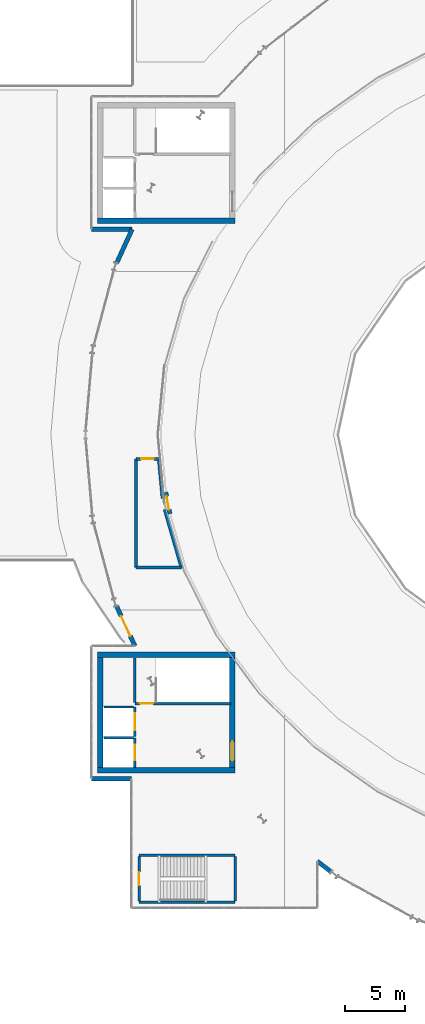
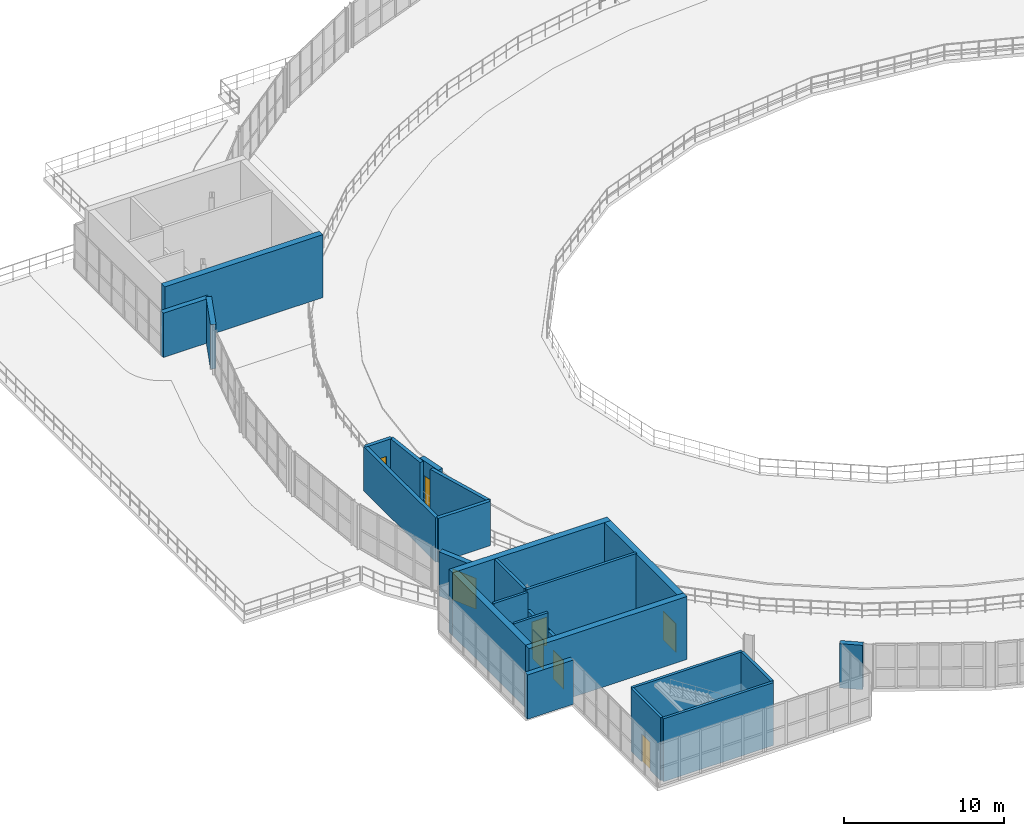
# One storey, part 31 of 40: 26 walls, 8 doors, 8 openings.
"""IFC4 building model written with IfcOpenShell, lengths in metres."""

from ifc_helpers import new_model, si_unit, direction, frame, frame_2d, origin, place, context, subcontext, project, spatial, rectangle, extrude, material, layer, layer_set, type_object, element, fill, save


model = new_model("IFC4")

# Units and contexts
model_context = context("Model", 3, precision=1e-05, world=origin(), true_north=direction((0.0, 1.0)))
body_context = subcontext(model_context, "Body", "Model", "MODEL_VIEW")
ifc_project = project(units=[si_unit("LENGTHUNIT", "METRE"), si_unit("AREAUNIT", "SQUARE_METRE"), si_unit("VOLUMEUNIT", "CUBIC_METRE"), si_unit("PLANEANGLEUNIT", "RADIAN"), si_unit("MASSUNIT", "GRAM", prefix="KILO")], contexts=[model_context])

# Site, building, storey
site_placement = place(None, origin())
site = spatial("IfcSite", under=ifc_project, at=site_placement, CompositionType="ELEMENT")
building_placement = place(site_placement, origin())
building = spatial("IfcBuilding", under=site, at=building_placement, Name="Glasvene Arena", CompositionType="ELEMENT")
storey_placement = place(building_placement, frame((0.0, 0.0, 24.0)))
storey = spatial("IfcBuildingStorey", under=building, at=storey_placement, Name="L05", CompositionType="ELEMENT", Elevation=24.0)

# Walls
ifc_material_1 = material(Name="Concrete C40/50", Category="concrete")
ifc_layer_1 = layer(ifc_material_1, 0.449951171875)
ifc_layer_set_1 = layer_set([ifc_layer_1], Name="Concrete C40/50")
wall_type_1 = type_object("IfcWallType", Name="WL-CORE-450", PredefinedType="SHEAR", material=ifc_layer_set_1)
for number, where, z_axis, x_axis, name in (
    (1, (43.0, 90.72509765625, 0.0), (0.0, 0.0, 1.0), (1.0, 0.0, 0.0), "Core C1 North-West shear wall S L05"),
    (2, (43.0, 45.22509765625, 0.0), (0.0, 0.0, 1.0), (1.0, 0.0, 0.0), "Core C3 South-West shear wall S L05"),
    (3, (43.0, 54.77490234375, 0.0), (0.0, 0.0, 1.0), (1.0, 0.0, 0.0), "Core C3 South-West shear wall N L05"),
):
    element("IfcWall", number, at=place(storey_placement, frame(where, z_axis=z_axis, x_axis=x_axis)), inside=storey, type_object=wall_type_1, Name=name, PredefinedType="SHEAR", context=body_context, shape_type="SweptSolid", body=[
        extrude(rectangle(XDim=11.39990234375, YDim=0.449951171875, at=frame_2d((5.699951171875, 0.0))), origin(), (0.0, 0.0, 1.0), 4.800048828125),
    ])
wall_1_placement = place(storey_placement, frame((43.22509765625, 45.449951171875, 0.0), z_axis=(0.0, 0.0, 1.0), x_axis=(0.0, 1.0, 0.0)))
element("IfcWall", 4, at=wall_1_placement, inside=storey, type_object=wall_type_1, Name="Core C3 South-West shear wall W L05", PredefinedType="SHEAR", context=body_context, shape_type="SweptSolid", body=[
    extrude(rectangle(XDim=9.10009765625, YDim=0.449951171875, at=frame_2d((4.550048828125, 0.0))), origin(), (0.0, 0.0, 1.0), 4.800048828125),
])

# Wall, opening, door
wall_2_placement = place(storey_placement, frame((54.175048828125, 45.449951171875, 0.0), z_axis=(0.0, 0.0, 1.0), x_axis=(0.0, 1.0, 0.0)))
wall_2 = element("IfcWall", 5, at=wall_2_placement, inside=storey, type_object=wall_type_1, Name="Core C3 South-West shear wall E L05", PredefinedType="SHEAR", context=body_context, shape_type="SweptSolid", body=[
    extrude(rectangle(XDim=9.10009765625, YDim=0.449951171875, at=frame_2d((4.550048828125, 0.0))), origin(), (0.0, 0.0, 1.0), 4.800048828125),
])
opening_1_placement = place(wall_2_placement, frame((0.550048828125, 0.0, 0.0)))
opening_1 = element("IfcOpeningElement", 6, at=opening_1_placement, cuts=wall_2, Name="Opening D-02", PredefinedType="OPENING", context=body_context, shape_type="SweptSolid", body=[
    extrude(rectangle(XDim=1.60009765625, YDim=2.199951171875, at=frame_2d((0.800048828125, 1.10009765625))), frame((0.0, 0.23486328125, 0.0), z_axis=(0.0, -1.0, 0.0), x_axis=(1.0, 0.0, 0.0)), (0.0, 0.0, 1.0), 0.469970703125),
])
ifc_material_2 = material(Name="Painted fire-resisting steel", Category="steel")
door_type_1 = type_object("IfcDoorType", Name="DR-FD60-1600", OperationType="DOUBLE_DOOR_SINGLE_SWING", PredefinedType="DOOR", material=ifc_material_2)
door_1_placement = place(opening_1_placement, frame((1.60009765625, 0.0, 0.0), z_axis=(0.0, 0.0, 1.0), x_axis=(-1.0, 0.0, 0.0)))
door_1 = element("IfcDoor", 7, at=door_1_placement, inside=storey, type_object=door_type_1, Name="Core firefighting lobby concourse door C3-L05", OperationType="DOUBLE_DOOR_SINGLE_SWING", OverallHeight=2.199951171875, OverallWidth=1.60009765625, PredefinedType="DOOR", context=body_context, shape_type="SweptSolid", body=[
    extrude(rectangle(XDim=1.60009765625, YDim=2.199951171875, at=frame_2d((0.800048828125, 1.10009765625))), frame((0.0, 0.02490234375, 0.0), z_axis=(0.0, -1.0, 0.0), x_axis=(1.0, 0.0, 0.0)), (0.0, 0.0, 1.0), 0.050048828125),
])
fill(opening_1, door_1)

# Wall
ifc_material_3 = material(Name="Coursed pale Irish limestone", Category="masonry")
ifc_layer_2 = layer(ifc_material_3, 0.360107421875)
ifc_layer_set_2 = layer_set([ifc_layer_2], Name="Coursed pale Irish limestone")
wall_type_2 = type_object("IfcWallType", Name="WL-EXT-LIM-360", PredefinedType="STANDARD", material=ifc_layer_set_2)
wall_3_placement = place(storey_placement, frame((45.800048828125, 44.5, 0.0), z_axis=(0.0, 0.0, 1.0), x_axis=(-1.0, 0.0, 0.0)))
element("IfcWall", 8, at=wall_3_placement, inside=storey, type_object=wall_type_2, Name="External facade wall EW-L05-0288", PredefinedType="STANDARD", context=body_context, shape_type="SweptSolid", body=[
    extrude(rectangle(XDim=3.300048828125, YDim=0.360107421875, at=frame_2d((1.64990234375, 0.0))), origin(), (0.0, 0.0, 1.0), 3.3798828125),
])

# Wall, opening, door
wall_4_placement = place(storey_placement, frame((46.101318359375, 55.5, 0.0), z_axis=(0.0, 0.0, 1.0), x_axis=(-0.4180545342, 0.908421931943, 0.0)))
wall_4 = element("IfcWall", 9, at=wall_4_placement, inside=storey, type_object=wall_type_2, Name="External facade wall EW-L05-0289", PredefinedType="STANDARD", context=body_context, shape_type="SweptSolid", body=[
    extrude(rectangle(XDim=3.6259765625, YDim=0.360107421875, at=frame_2d((1.81298828125, 0.0))), origin(), (0.0, 0.0, 1.0), 3.3798828125),
])
opening_2_placement = place(wall_4_placement, frame((0.9130859375, 0.0, 0.0)))
opening_2 = element("IfcOpeningElement", 10, at=opening_2_placement, cuts=wall_4, Name="Opening TD-180", PredefinedType="OPENING", context=body_context, shape_type="SweptSolid", body=[
    extrude(rectangle(XDim=1.800048828125, YDim=2.35009765625, at=frame_2d((0.89990234375, 1.175048828125))), frame((0.0, 0.18994140625, 0.0), z_axis=(0.0, -1.0, 0.0), x_axis=(1.0, 0.0, 0.0)), (0.0, 0.0, 1.0), 0.380126953125),
])
ifc_material_4 = material(Name="Anodised architectural aluminium", Category="aluminium")
door_type_2 = type_object("IfcDoorType", Name="DR-TERR-1800", OperationType="DOUBLE_DOOR_SINGLE_SWING", PredefinedType="DOOR", material=ifc_material_4)
door_2_placement = place(opening_2_placement, origin())
door_2 = element("IfcDoor", 11, at=door_2_placement, inside=storey, type_object=door_type_2, Name="Terrace lounge glazed exit door TD-L05-07", OperationType="DOUBLE_DOOR_SINGLE_SWING", OverallHeight=2.35009765625, OverallWidth=1.800048828125, PredefinedType="DOOR", context=body_context, shape_type="SweptSolid", body=[
    extrude(rectangle(XDim=1.800048828125, YDim=2.35009765625, at=frame_2d((0.89990234375, 1.175048828125))), frame((0.0, 0.02490234375, 0.0), z_axis=(0.0, -1.0, 0.0), x_axis=(1.0, 0.0, 0.0)), (0.0, 0.0, 1.0), 0.050048828125),
])
fill(opening_2, door_2)

# Walls
wall_5_placement = place(storey_placement, frame((44.58544921875, 87.2060546875, 0.0), z_axis=(0.0, 0.0, 1.0), x_axis=(0.418086422493, 0.908407256316, 0.0)))
element("IfcWall", 12, at=wall_5_placement, inside=storey, type_object=wall_type_2, Name="External facade wall EW-L05-0290", PredefinedType="STANDARD", context=body_context, shape_type="SweptSolid", body=[
    extrude(rectangle(XDim=3.07568359375, YDim=0.360107421875, at=frame_2d((1.537841796875, 0.0))), origin(), (0.0, 0.0, 1.0), 3.3798828125),
])
wall_6_placement = place(storey_placement, frame((45.871337890625, 90.0, 0.0), z_axis=(0.0, 0.0, 1.0), x_axis=(-1.0, 0.0, 0.0)))
element("IfcWall", 13, at=wall_6_placement, inside=storey, type_object=wall_type_2, Name="External facade wall EW-L05-0291", PredefinedType="STANDARD", context=body_context, shape_type="SweptSolid", body=[
    extrude(rectangle(XDim=3.371337890625, YDim=0.360107421875, at=frame_2d((1.685546875, 0.0))), origin(), (0.0, 0.0, 1.0), 3.3798828125),
])
wall_7_placement = place(storey_placement, frame((62.351318359375, 36.79345703125, 0.0), z_axis=(0.0, 0.0, 1.0), x_axis=(-0.792761448829, 0.609532021513, 0.0)))
element("IfcWall", 14, at=wall_7_placement, inside=storey, type_object=wall_type_2, Name="External facade wall EW-L05-0302", PredefinedType="STANDARD", context=body_context, shape_type="SweptSolid", body=[
    extrude(rectangle(XDim=1.452392578125, YDim=0.360107421875, at=frame_2d((0.72607421875, 0.0))), origin(), (0.0, 0.0, 1.0), 3.3798828125),
])

# Wall, opening, door
wall_8_placement = place(storey_placement, frame((48.654296875, 68.21728515625, 0.0), z_axis=(0.0, 0.0, 1.0), x_axis=(0.187174705952, -0.982326640915, 0.0)))
wall_8 = element("IfcWall", 15, at=wall_8_placement, inside=storey, type_object=wall_type_2, Name="External terrace portal wall EW-L05-0303", PredefinedType="STANDARD", context=body_context, shape_type="SweptSolid", body=[
    extrude(rectangle(XDim=1.792236328125, YDim=0.360107421875, at=frame_2d((0.89599609375, 0.0))), origin(), (0.0, 0.0, 1.0), 3.3798828125),
])
opening_3_placement = place(wall_8_placement, frame((0.345947265625, 0.0, 0.0)))
opening_3 = element("IfcOpeningElement", 16, at=opening_3_placement, cuts=wall_8, Name="Opening TD-110", PredefinedType="OPENING", context=body_context, shape_type="SweptSolid", body=[
    extrude(rectangle(XDim=1.10009765625, YDim=2.25, at=frame_2d((0.550048828125, 1.125))), frame((0.0, 0.18994140625, 0.0), z_axis=(0.0, -1.0, 0.0), x_axis=(1.0, 0.0, 0.0)), (0.0, 0.0, 1.0), 0.380126953125),
])
door_type_3 = type_object("IfcDoorType", Name="DR-TERR-1100", OperationType="SINGLE_SWING_LEFT", PredefinedType="DOOR", material=ifc_material_4)
door_3_placement = place(opening_3_placement, origin())
door_3 = element("IfcDoor", 17, at=door_3_placement, inside=storey, type_object=door_type_3, Name="Terrace lounge glazed exit door TD-L05-08", OperationType="SINGLE_SWING_LEFT", OverallHeight=2.25, OverallWidth=1.10009765625, PredefinedType="DOOR", context=body_context, shape_type="SweptSolid", body=[
    extrude(rectangle(XDim=1.10009765625, YDim=2.25, at=frame_2d((0.550048828125, 1.125))), frame((0.0, 0.02490234375, 0.0), z_axis=(0.0, -1.0, 0.0), x_axis=(1.0, 0.0, 0.0)), (0.0, 0.0, 1.0), 0.050048828125),
])
fill(opening_3, door_3)

# Walls
ifc_layer_3 = layer(ifc_material_1, 0.25)
ifc_layer_set_3 = layer_set([ifc_layer_3], Name="Concrete C40/50")
wall_type_3 = type_object("IfcWallType", Name="WL-FIRE-250", PredefinedType="STANDARD", material=ifc_layer_set_3)
wall_9_placement = place(storey_placement, frame((48.557373046875, 66.803955078125, 0.0), z_axis=(0.0, 0.0, 1.0), x_axis=(0.277969173727, -0.960589994981, 0.0)))
element("IfcWall", 18, at=wall_9_placement, inside=storey, type_object=wall_type_3, Name="Interior partition wall IW-L05-0334 (Bowl Displacement Ventilation Plant)", PredefinedType="STANDARD", context=body_context, shape_type="SweptSolid", body=[
    extrude(rectangle(XDim=5.0009765625, YDim=0.25, at=frame_2d((2.50048828125, 0.0))), origin(), (0.0, 0.0, 1.0), 3.3798828125),
])
wall_10_placement = place(storey_placement, frame((49.947509765625, 62.0, 0.0), z_axis=(0.0, 0.0, 1.0), x_axis=(-1.0, 0.0, 0.0)))
element("IfcWall", 19, at=wall_10_placement, inside=storey, type_object=wall_type_3, Name="Interior partition wall IW-L05-0335 (Bowl Displacement Ventilation Plant)", PredefinedType="STANDARD", context=body_context, shape_type="SweptSolid", body=[
    extrude(rectangle(XDim=3.74755859375, YDim=0.25, at=frame_2d((1.873779296875, 0.0))), origin(), (0.0, 0.0, 1.0), 3.3798828125),
])
wall_11_placement = place(storey_placement, frame((46.199951171875, 62.0, 0.0), z_axis=(0.0, 0.0, 1.0), x_axis=(0.0, 1.0, 0.0)))
element("IfcWall", 20, at=wall_11_placement, inside=storey, type_object=wall_type_3, Name="Interior partition wall IW-L05-0336 (Bowl Displacement Ventilation Plant)", PredefinedType="STANDARD", context=body_context, shape_type="SweptSolid", body=[
    extrude(rectangle(XDim=9.0, YDim=0.25, at=frame_2d((4.5, 0.0))), origin(), (0.0, 0.0, 1.0), 3.3798828125),
])

# Wall, opening, door
wall_12_placement = place(storey_placement, frame((46.199951171875, 71.0, 0.0), z_axis=(0.0, 0.0, 1.0), x_axis=(1.0, 0.0, 0.0)))
wall_12 = element("IfcWall", 21, at=wall_12_placement, inside=storey, type_object=wall_type_3, Name="Interior partition wall IW-L05-0337 (Bowl Displacement Ventilation Plant)", PredefinedType="STANDARD", context=body_context, shape_type="SweptSolid", body=[
    extrude(rectangle(XDim=1.86865234375, YDim=0.25, at=frame_2d((0.934326171875, 0.0))), origin(), (0.0, 0.0, 1.0), 3.3798828125),
])
opening_4_placement = place(wall_12_placement, frame((0.408935546875, 0.0, 0.0)))
opening_4 = element("IfcOpeningElement", 22, at=opening_4_placement, cuts=wall_12, Name="Opening D-05", PredefinedType="OPENING", context=body_context, shape_type="SweptSolid", body=[
    extrude(rectangle(XDim=1.050048828125, YDim=2.14990234375, at=frame_2d((0.52490234375, 1.074951171875))), frame((0.0, 0.135009765625, 0.0), z_axis=(0.0, -1.0, 0.0), x_axis=(1.0, 0.0, 0.0)), (0.0, 0.0, 1.0), 0.27001953125),
])
door_type_4 = type_object("IfcDoorType", Name="DR-FD60-1050", OperationType="NOTDEFINED", PredefinedType="DOOR", material=ifc_material_2)
door_4_placement = place(opening_4_placement, origin())
door_4 = element("IfcDoor", 23, at=door_4_placement, inside=storey, type_object=door_type_4, Name="Interior door DR-FD60-1050 (Bowl Displacement Ventilation Plant)", OperationType="SINGLE_SWING_RIGHT", OverallHeight=2.14990234375, OverallWidth=1.050048828125, PredefinedType="DOOR", context=body_context, shape_type="SweptSolid", body=[
    extrude(rectangle(XDim=1.050048828125, YDim=2.14990234375, at=frame_2d((0.52490234375, 1.074951171875))), frame((0.0, 0.02490234375, 0.0), z_axis=(0.0, -1.0, 0.0), x_axis=(1.0, 0.0, 0.0)), (0.0, 0.0, 1.0), 0.050048828125),
])
fill(opening_4, door_4)

# Wall
wall_13_placement = place(storey_placement, frame((48.068603515625, 71.0, 0.0), z_axis=(0.0, 0.0, 1.0), x_axis=(0.094865315901, -0.995490116394, 0.0)))
element("IfcWall", 24, at=wall_13_placement, inside=storey, type_object=wall_type_3, Name="Interior partition wall IW-L05-0338 (Bowl Displacement Ventilation Plant)", PredefinedType="STANDARD", context=body_context, shape_type="SweptSolid", body=[
    extrude(rectangle(XDim=3.27880859375, YDim=0.25, at=frame_2d((1.639404296875, 0.0))), origin(), (0.0, 0.0, 1.0), 3.3798828125),
])

# Wall, opening, door
ifc_layer_4 = layer(ifc_material_1, 0.199951171875)
ifc_layer_set_4 = layer_set([ifc_layer_4], Name="Concrete C40/50")
wall_type_4 = type_object("IfcWallType", Name="WL-SHAFT-200", PredefinedType="SHEAR", material=ifc_layer_set_4)
wall_14_placement = place(storey_placement, frame((46.10009765625, 45.449951171875, 0.0), z_axis=(0.0, 0.0, 1.0), x_axis=(0.0, 1.0, 0.0)))
wall_14 = element("IfcWall", 25, at=wall_14_placement, inside=storey, type_object=wall_type_4, Name="Lift shaft front wall FFL-03 L05", PredefinedType="SHEAR", context=body_context, shape_type="SweptSolid", body=[
    extrude(rectangle(XDim=2.449951171875, YDim=0.199951171875, at=frame_2d((1.22509765625, 0.0))), origin(), (0.0, 0.0, 1.0), 3.3798828125),
])
opening_5_placement = place(wall_14_placement, frame((0.574951171875, 0.0, 0.0)))
opening_5 = element("IfcOpeningElement", 26, at=opening_5_placement, cuts=wall_14, Name="Opening LD-FF", PredefinedType="OPENING", context=body_context, shape_type="SweptSolid", body=[
    extrude(rectangle(XDim=1.300048828125, YDim=2.199951171875, at=frame_2d((0.64990234375, 1.10009765625))), frame((0.0, 0.10986328125, 0.0), z_axis=(0.0, -1.0, 0.0), x_axis=(1.0, 0.0, 0.0)), (0.0, 0.0, 1.0), 0.219970703125),
])
ifc_material_5 = material(Name="Brushed stainless steel", Category="steel")
door_type_5 = type_object("IfcDoorType", Name="LD-FFL-1300", OperationType="DOUBLE_DOOR_SLIDING", PredefinedType="DOOR", material=ifc_material_5)
door_5_placement = place(opening_5_placement, origin())
door_5 = element("IfcDoor", 27, at=door_5_placement, inside=storey, type_object=door_type_5, Name="Lift sliding landing door LD-FFL-03-L05", OperationType="DOUBLE_DOOR_SLIDING", OverallHeight=2.199951171875, OverallWidth=1.300048828125, PredefinedType="DOOR", context=body_context, shape_type="SweptSolid", body=[
    extrude(rectangle(XDim=1.300048828125, YDim=2.199951171875, at=frame_2d((0.64990234375, 1.10009765625))), frame((0.0, 0.02490234375, 0.0), z_axis=(0.0, -1.0, 0.0), x_axis=(1.0, 0.0, 0.0)), (0.0, 0.0, 1.0), 0.050048828125),
])
fill(opening_5, door_5)

wall_15_placement = place(storey_placement, frame((46.10009765625, 48.0, 0.0), z_axis=(0.0, 0.0, 1.0), x_axis=(0.0, 1.0, 0.0)))
wall_15 = element("IfcWall", 28, at=wall_15_placement, inside=storey, type_object=wall_type_4, Name="Lift shaft front wall PL-03 L05", PredefinedType="SHEAR", context=body_context, shape_type="SweptSolid", body=[
    extrude(rectangle(XDim=2.449951171875, YDim=0.199951171875, at=frame_2d((1.22509765625, 0.0))), origin(), (0.0, 0.0, 1.0), 3.3798828125),
])
opening_6_placement = place(wall_15_placement, frame((0.52490234375, 0.0, 0.0)))
opening_6 = element("IfcOpeningElement", 29, at=opening_6_placement, cuts=wall_15, Name="Opening LD-PL", PredefinedType="OPENING", context=body_context, shape_type="SweptSolid", body=[
    extrude(rectangle(XDim=1.39990234375, YDim=2.199951171875, at=frame_2d((0.699951171875, 1.10009765625))), frame((0.0, 0.10986328125, 0.0), z_axis=(0.0, -1.0, 0.0), x_axis=(1.0, 0.0, 0.0)), (0.0, 0.0, 1.0), 0.219970703125),
])
door_type_6 = type_object("IfcDoorType", Name="LD-PL-1400", OperationType="DOUBLE_DOOR_SLIDING", PredefinedType="DOOR", material=ifc_material_5)
door_6_placement = place(opening_6_placement, origin())
door_6 = element("IfcDoor", 30, at=door_6_placement, inside=storey, type_object=door_type_6, Name="Lift sliding landing door LD-PL-03-L05", OperationType="DOUBLE_DOOR_SLIDING", OverallHeight=2.199951171875, OverallWidth=1.39990234375, PredefinedType="DOOR", context=body_context, shape_type="SweptSolid", body=[
    extrude(rectangle(XDim=1.39990234375, YDim=2.199951171875, at=frame_2d((0.699951171875, 1.10009765625))), frame((0.0, 0.02490234375, 0.0), z_axis=(0.0, -1.0, 0.0), x_axis=(1.0, 0.0, 0.0)), (0.0, 0.0, 1.0), 0.050048828125),
])
fill(opening_6, door_6)

wall_16_placement = place(storey_placement, frame((46.10009765625, 50.72998046875, 0.0), z_axis=(0.0, 0.0, 1.0), x_axis=(1.0, 0.0, 0.0)))
wall_16 = element("IfcWall", 31, at=wall_16_placement, inside=storey, type_object=wall_type_4, Name="Escape stair shaft wall ST-03 L05 S", PredefinedType="SHEAR", context=body_context, shape_type="SweptSolid", body=[
    extrude(rectangle(XDim=7.949951171875, YDim=0.199951171875, at=frame_2d((3.97509765625, 0.0))), origin(), (0.0, 0.0, 1.0), 4.800048828125),
])
opening_7_placement = place(wall_16_placement, frame((0.39990234375, 0.0, 0.0)))
opening_7 = element("IfcOpeningElement", 32, at=opening_7_placement, cuts=wall_16, Name="Opening D-04", PredefinedType="OPENING", context=body_context, shape_type="SweptSolid", body=[
    extrude(rectangle(XDim=1.10009765625, YDim=2.14990234375, at=frame_2d((0.550048828125, 1.074951171875))), frame((0.0, 0.10986328125, 0.0), z_axis=(0.0, -1.0, 0.0), x_axis=(1.0, 0.0, 0.0)), (0.0, 0.0, 1.0), 0.219970703125),
])
door_type_7 = type_object("IfcDoorType", Name="DR-FD60-1100", OperationType="NOTDEFINED", PredefinedType="DOOR", material=ifc_material_2)
door_7_placement = place(opening_7_placement, frame((1.10009765625, 0.0, 0.0), z_axis=(0.0, 0.0, 1.0), x_axis=(-1.0, 0.0, 0.0)))
door_7 = element("IfcDoor", 33, at=door_7_placement, inside=storey, type_object=door_type_7, Name="Protected escape stair door ST-03 L05", OperationType="SINGLE_SWING_RIGHT", OverallHeight=2.14990234375, OverallWidth=1.10009765625, PredefinedType="DOOR", context=body_context, shape_type="SweptSolid", body=[
    extrude(rectangle(XDim=1.10009765625, YDim=2.14990234375, at=frame_2d((0.550048828125, 1.074951171875))), frame((0.0, 0.02490234375, 0.0), z_axis=(0.0, -1.0, 0.0), x_axis=(1.0, 0.0, 0.0)), (0.0, 0.0, 1.0), 0.050048828125),
])
fill(opening_7, door_7)

# Walls
wall_17_placement = place(storey_placement, frame((46.10009765625, 50.83203125, 0.0), z_axis=(0.0, 0.0, 1.0), x_axis=(0.0, 1.0, 0.0)))
element("IfcWall", 34, at=wall_17_placement, inside=storey, type_object=wall_type_4, Name="Escape stair shaft wall ST-03 L05 W", PredefinedType="SHEAR", context=body_context, shape_type="SweptSolid", body=[
    extrude(rectangle(XDim=3.68603515625, YDim=0.199951171875, at=frame_2d((1.843017578125, 0.0))), origin(), (0.0, 0.0, 1.0), 4.800048828125),
])
wall_18_placement = place(storey_placement, frame((46.449951171875, 34.280029296875, 0.0), z_axis=(0.0, 0.0, 1.0), x_axis=(1.0, 0.0, 0.0)))
element("IfcWall", 35, at=wall_18_placement, inside=storey, type_object=wall_type_4, Name="Escape stair shaft wall ST-05 L05 S", PredefinedType="SHEAR", context=body_context, shape_type="SweptSolid", body=[
    extrude(rectangle(XDim=7.949951171875, YDim=0.199951171875, at=frame_2d((3.97509765625, 0.0))), origin(), (0.0, 0.0, 1.0), 4.800048828125),
])

# Wall, opening, door
wall_19_placement = place(storey_placement, frame((46.449951171875, 34.382080078125, 0.0), z_axis=(0.0, 0.0, 1.0), x_axis=(0.0, 1.0, 0.0)))
wall_19 = element("IfcWall", 36, at=wall_19_placement, inside=storey, type_object=wall_type_4, Name="Escape stair shaft wall ST-05 L05 W", PredefinedType="SHEAR", context=body_context, shape_type="SweptSolid", body=[
    extrude(rectangle(XDim=3.68603515625, YDim=0.199951171875, at=frame_2d((1.843017578125, 0.0))), origin(), (0.0, 0.0, 1.0), 4.800048828125),
])
opening_8_placement = place(wall_19_placement, frame((1.29296875, 0.0, 0.0)))
opening_8 = element("IfcOpeningElement", 37, at=opening_8_placement, cuts=wall_19, Name="Opening D-04", PredefinedType="OPENING", context=body_context, shape_type="SweptSolid", body=[
    extrude(rectangle(XDim=1.10009765625, YDim=2.14990234375, at=frame_2d((0.550048828125, 1.074951171875))), frame((0.0, 0.10986328125, 0.0), z_axis=(0.0, -1.0, 0.0), x_axis=(1.0, 0.0, 0.0)), (0.0, 0.0, 1.0), 0.219970703125),
])
door_8_placement = place(opening_8_placement, frame((1.10009765625, 0.0, 0.0), z_axis=(0.0, 0.0, 1.0), x_axis=(-1.0, 0.0, 0.0)))
door_8 = element("IfcDoor", 38, at=door_8_placement, inside=storey, type_object=door_type_7, Name="Protected escape stair door ST-05 L05", OperationType="SINGLE_SWING_RIGHT", OverallHeight=2.14990234375, OverallWidth=1.10009765625, PredefinedType="DOOR", context=body_context, shape_type="SweptSolid", body=[
    extrude(rectangle(XDim=1.10009765625, YDim=2.14990234375, at=frame_2d((0.550048828125, 1.074951171875))), frame((0.0, 0.02490234375, 0.0), z_axis=(0.0, -1.0, 0.0), x_axis=(1.0, 0.0, 0.0)), (0.0, 0.0, 1.0), 0.050048828125),
])
fill(opening_8, door_8)

# Walls
wall_20_placement = place(storey_placement, frame((54.39990234375, 34.382080078125, 0.0), z_axis=(0.0, 0.0, 1.0), x_axis=(0.0, 1.0, 0.0)))
element("IfcWall", 39, at=wall_20_placement, inside=storey, type_object=wall_type_4, Name="Escape stair shaft wall ST-05 L05 E", PredefinedType="SHEAR", context=body_context, shape_type="SweptSolid", body=[
    extrude(rectangle(XDim=3.68603515625, YDim=0.199951171875, at=frame_2d((1.843017578125, 0.0))), origin(), (0.0, 0.0, 1.0), 4.800048828125),
])
wall_21_placement = place(storey_placement, frame((46.449951171875, 38.169921875, 0.0), z_axis=(0.0, 0.0, 1.0), x_axis=(1.0, 0.0, 0.0)))
element("IfcWall", 40, at=wall_21_placement, inside=storey, type_object=wall_type_4, Name="Escape stair shaft wall ST-05 L05 N", PredefinedType="SHEAR", context=body_context, shape_type="SweptSolid", body=[
    extrude(rectangle(XDim=7.949951171875, YDim=0.199951171875, at=frame_2d((3.97509765625, 0.0))), origin(), (0.0, 0.0, 1.0), 4.800048828125),
])
ifc_material_6 = material(Name="Moisture-resistant masonry blockwork", Category="masonry")
ifc_layer_5 = layer(ifc_material_6, 0.179931640625)
ifc_layer_set_5 = layer_set([ifc_layer_5], Name="Moisture-resistant masonry blockwork")
wall_type_5 = type_object("IfcWallType", Name="WL-WET-180", PredefinedType="PARTITIONING", material=ifc_layer_set_5)
for number, where, z_axis, x_axis, name in (
    (41, (43.550048828125, 47.89990234375, 0.0), (0.0, 0.0, 1.0), (1.0, 0.0, 0.0), "Lift shaft divider wall C3 L05"),
    (42, (43.550048828125, 50.449951171875, 0.0), (0.0, 0.0, 1.0), (1.0, 0.0, 0.0), "Lift shaft north enclosure wall C3 L05"),
):
    element("IfcWall", number, at=place(storey_placement, frame(where, z_axis=z_axis, x_axis=x_axis)), inside=storey, type_object=wall_type_5, Name=name, PredefinedType="PARTITIONING", context=body_context, shape_type="SweptSolid", body=[
        extrude(rectangle(XDim=2.449951171875, YDim=0.179931640625, at=frame_2d((1.22509765625, 0.0))), origin(), (0.0, 0.0, 1.0), 4.800048828125),
    ])

save(model, "model.ifc")
